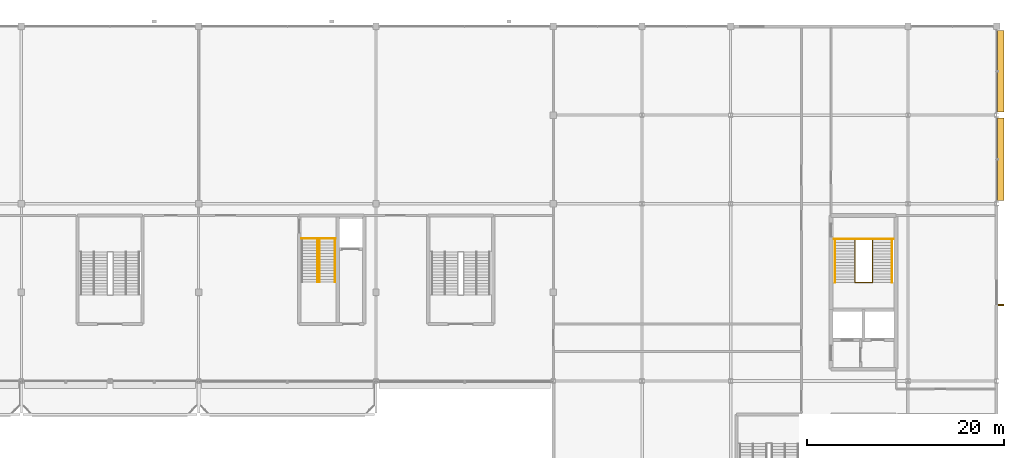
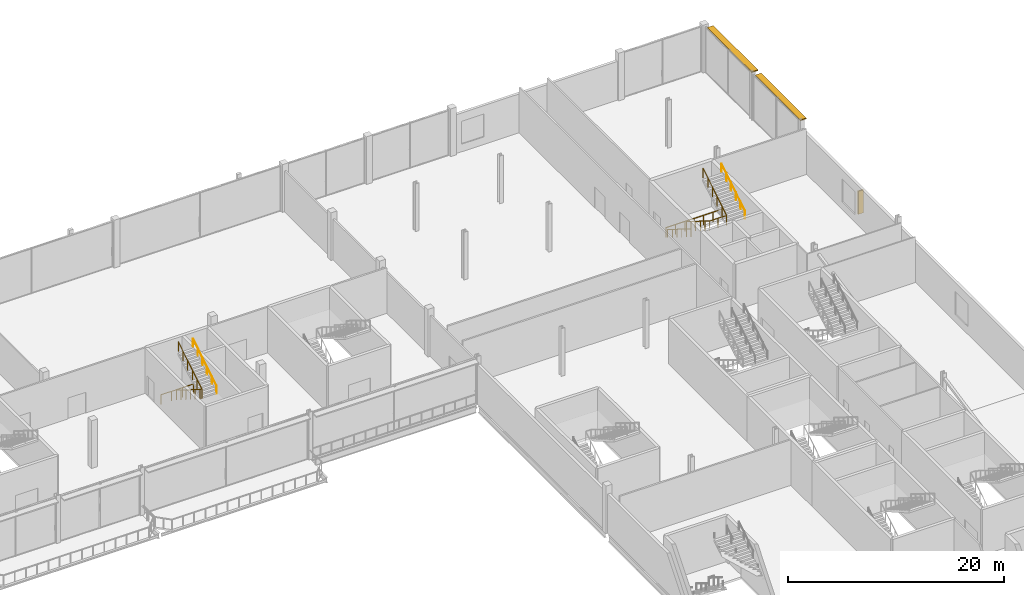
# One storey, part 112 of 113: 7 railings, 3 shading devices.
"""IFC4 building model written with IfcOpenShell, lengths in metres."""

from ifc_helpers import new_model, si_unit, direction, frame, origin, origin_2d, place, context, subcontext, project, spatial, rectangle, circle, extrude, material, type_object, element, save


model = new_model("IFC4")

# Units and contexts
model_context = context("Model", 3, precision=1e-05, world=origin(), true_north=direction((0.0, 1.0)))
body_context = subcontext(model_context, "Body", "Model", "MODEL_VIEW")
ifc_project = project(units=[si_unit("LENGTHUNIT", "METRE"), si_unit("AREAUNIT", "SQUARE_METRE"), si_unit("VOLUMEUNIT", "CUBIC_METRE"), si_unit("PLANEANGLEUNIT", "RADIAN"), si_unit("MASSUNIT", "GRAM", prefix="KILO")], contexts=[model_context])

# Site, building, storey
site_placement = place(None, origin())
site = spatial("IfcSite", under=ifc_project, at=site_placement, CompositionType="ELEMENT")
building_placement = place(site_placement, origin())
building = spatial("IfcBuilding", under=site, at=building_placement, Name="Kisiwana Market Hall", CompositionType="ELEMENT")
storey_placement = place(building_placement, frame((0.0, 0.0, 6.0)))
storey = spatial("IfcBuildingStorey", under=building, at=storey_placement, Name="L01", CompositionType="ELEMENT", Elevation=6.0)

# Railings
ifc_material_1 = material(Name="Steel S275", Category="steel")
railing_type_1 = type_object("IfcRailingType", Name="RL-GUARD-1100", PredefinedType="GUARDRAIL", material=ifc_material_1)
railing_1_placement = place(storey_placement, frame((183.60009765625, 98.3505859375, 0.0)))
element("IfcRailing", 1, at=railing_1_placement, inside=storey, type_object=railing_type_1, Name="Stair ST-E1-L01 inner-well guardrail (RL-323)", PredefinedType="GUARDRAIL", context=body_context, shape_type="SweptSolid", body=[
    extrude(circle(Radius=0.02392578125, at=origin_2d()), frame((0.0, 0.0, 1.076171875), z_axis=(0.0, -0.849649743971, 0.527347430608), x_axis=(1.0, 0.0, 0.0)), (0.0, 0.0, 1.0), 5.119873046875),
    extrude(circle(Radius=0.02392578125, at=origin_2d()), frame((0.0, -4.35009765625, 3.77587890625), z_axis=(1.0, 0.0, 0.0), x_axis=(0.0, 1.0, 0.0)), (0.0, 0.0, 1.0), 1.7998046875),
    extrude(circle(Radius=0.02392578125, at=origin_2d()), frame((1.7998046875, -4.35009765625, 3.77587890625), z_axis=(0.0, 0.849649743971, 0.527347430608), x_axis=(-1.0, 0.0, 0.0)), (0.0, 0.0, 1.0), 5.119873046875),
    extrude(circle(Radius=0.02099609375, at=origin_2d()), origin(), (0.0, 0.0, 1.0), 1.052001953125),
    extrude(circle(Radius=0.02099609375, at=origin_2d()), frame((0.0, -0.8701171875, 0.5400390625)), (0.0, 0.0, 1.0), 1.052001953125),
    extrude(circle(Radius=0.02099609375, at=origin_2d()), frame((0.0, -1.739990234375, 1.080078125)), (0.0, 0.0, 1.0), 1.052001953125),
    extrude(circle(Radius=0.02099609375, at=origin_2d()), frame((0.0, -2.610107421875, 1.619873046875)), (0.0, 0.0, 1.0), 1.052001953125),
    extrude(circle(Radius=0.02099609375, at=origin_2d()), frame((0.0, -3.47998046875, 2.159912109375)), (0.0, 0.0, 1.0), 1.052001953125),
    extrude(circle(Radius=0.02099609375, at=origin_2d()), frame((0.0, -4.35009765625, 2.699951171875)), (0.0, 0.0, 1.0), 1.052001953125),
    extrude(circle(Radius=0.02099609375, at=origin_2d()), frame((0.89990234375, -4.35009765625, 2.699951171875)), (0.0, 0.0, 1.0), 1.052001953125),
    extrude(circle(Radius=0.02099609375, at=origin_2d()), frame((1.7998046875, -4.35009765625, 2.699951171875)), (0.0, 0.0, 1.0), 1.052001953125),
    extrude(circle(Radius=0.02099609375, at=origin_2d()), frame((1.7998046875, -3.47998046875, 3.239990234375)), (0.0, 0.0, 1.0), 1.052001953125),
    extrude(circle(Radius=0.02099609375, at=origin_2d()), frame((1.7998046875, -2.610107421875, 3.780029296875)), (0.0, 0.0, 1.0), 1.052001953125),
    extrude(circle(Radius=0.02099609375, at=origin_2d()), frame((1.7998046875, -1.739990234375, 4.31982421875)), (0.0, 0.0, 1.0), 1.052001953125),
    extrude(circle(Radius=0.02099609375, at=origin_2d()), frame((1.7998046875, -0.8701171875, 4.85986328125)), (0.0, 0.0, 1.0), 1.052001953125),
    extrude(circle(Radius=0.02099609375, at=origin_2d()), frame((1.7998046875, 0.0, 5.39990234375)), (0.0, 0.0, 1.0), 1.052001953125),
])
railing_2_placement = place(storey_placement, frame((181.47998046875, 98.430419921875, 0.0)))
element("IfcRailing", 2, at=railing_2_placement, inside=storey, type_object=railing_type_1, Name="Stair ST-E1-L01 landing edge guardrail (RL-326)", PredefinedType="GUARDRAIL", context=body_context, shape_type="SweptSolid", body=[
    extrude(circle(Radius=0.02392578125, at=origin_2d()), frame((0.0, 0.0, 1.076171875), z_axis=(1.0, 0.0, 0.0), x_axis=(0.0, 1.0, 0.0)), (0.0, 0.0, 1.0), 6.0400390625),
    extrude(circle(Radius=0.02099609375, at=origin_2d()), origin(), (0.0, 0.0, 1.0), 1.052001953125),
    extrude(circle(Radius=0.02099609375, at=origin_2d()), frame((1.006591796875, 0.0, 0.0)), (0.0, 0.0, 1.0), 1.052001953125),
    extrude(circle(Radius=0.02099609375, at=origin_2d()), frame((2.013427734375, 0.0, 0.0)), (0.0, 0.0, 1.0), 1.052001953125),
    extrude(circle(Radius=0.02099609375, at=origin_2d()), frame((3.02001953125, 0.0, 0.0)), (0.0, 0.0, 1.0), 1.052001953125),
    extrude(circle(Radius=0.02099609375, at=origin_2d()), frame((4.026611328125, 0.0, 0.0)), (0.0, 0.0, 1.0), 1.052001953125),
    extrude(circle(Radius=0.02099609375, at=origin_2d()), frame((5.033447265625, 0.0, 0.0)), (0.0, 0.0, 1.0), 1.052001953125),
    extrude(circle(Radius=0.02099609375, at=origin_2d()), frame((6.0400390625, 0.0, 0.0)), (0.0, 0.0, 1.0), 1.052001953125),
])
railing_3_placement = place(storey_placement, frame((129.06005859375, 98.390380859375, 0.0)))
element("IfcRailing", 3, at=railing_3_placement, inside=storey, type_object=railing_type_1, Name="Stair ST-N2-L01 inner-well guardrail (RL-339)", PredefinedType="GUARDRAIL", context=body_context, shape_type="SweptSolid", body=[
    extrude(circle(Radius=0.02392578125, at=origin_2d()), frame((0.0, 0.0, 1.076171875), z_axis=(0.0, -0.849636482215, 0.527368797038), x_axis=(1.0, 0.0, 0.0)), (0.0, 0.0, 1.0), 5.11962890625),
    extrude(circle(Radius=0.02392578125, at=origin_2d()), frame((0.0, -4.349853515625, 3.77587890625), z_axis=(1.0, 0.0, 0.0), x_axis=(0.0, 1.0, 0.0)), (0.0, 0.0, 1.0), 0.199951171875),
    extrude(circle(Radius=0.02392578125, at=origin_2d()), frame((0.199951171875, -4.349853515625, 3.77587890625), z_axis=(0.0, 0.849636482215, 0.527368797038), x_axis=(-1.0, 0.0, 0.0)), (0.0, 0.0, 1.0), 5.11962890625),
    extrude(circle(Radius=0.02099609375, at=origin_2d()), origin(), (0.0, 0.0, 1.0), 1.052001953125),
    extrude(circle(Radius=0.02099609375, at=origin_2d()), frame((0.0, -0.869873046875, 0.5400390625)), (0.0, 0.0, 1.0), 1.052001953125),
    extrude(circle(Radius=0.02099609375, at=origin_2d()), frame((0.0, -1.739990234375, 1.080078125)), (0.0, 0.0, 1.0), 1.052001953125),
    extrude(circle(Radius=0.02099609375, at=origin_2d()), frame((0.0, -2.60986328125, 1.619873046875)), (0.0, 0.0, 1.0), 1.052001953125),
    extrude(circle(Radius=0.02099609375, at=origin_2d()), frame((0.0, -3.47998046875, 2.159912109375)), (0.0, 0.0, 1.0), 1.052001953125),
    extrude(circle(Radius=0.02099609375, at=origin_2d()), frame((0.0, -4.349853515625, 2.699951171875)), (0.0, 0.0, 1.0), 1.052001953125),
    extrude(circle(Radius=0.02099609375, at=origin_2d()), frame((0.199951171875, -4.349853515625, 2.699951171875)), (0.0, 0.0, 1.0), 1.052001953125),
    extrude(circle(Radius=0.02099609375, at=origin_2d()), frame((0.199951171875, -3.47998046875, 3.239990234375)), (0.0, 0.0, 1.0), 1.052001953125),
    extrude(circle(Radius=0.02099609375, at=origin_2d()), frame((0.199951171875, -2.60986328125, 3.780029296875)), (0.0, 0.0, 1.0), 1.052001953125),
    extrude(circle(Radius=0.02099609375, at=origin_2d()), frame((0.199951171875, -1.739990234375, 4.31982421875)), (0.0, 0.0, 1.0), 1.052001953125),
    extrude(circle(Radius=0.02099609375, at=origin_2d()), frame((0.199951171875, -0.869873046875, 4.85986328125)), (0.0, 0.0, 1.0), 1.052001953125),
    extrude(circle(Radius=0.02099609375, at=origin_2d()), frame((0.199951171875, 0.0, 5.39990234375)), (0.0, 0.0, 1.0), 1.052001953125),
])
railing_4_placement = place(storey_placement, frame((127.419921875, 98.450439453125, 0.0)))
element("IfcRailing", 4, at=railing_4_placement, inside=storey, type_object=railing_type_1, Name="Stair ST-N2-L01 landing edge guardrail (RL-342)", PredefinedType="GUARDRAIL", context=body_context, shape_type="SweptSolid", body=[
    extrude(circle(Radius=0.02392578125, at=origin_2d()), frame((0.0, 0.0, 1.076171875), z_axis=(1.0, 0.0, 0.0), x_axis=(0.0, 1.0, 0.0)), (0.0, 0.0, 1.0), 3.47998046875),
    extrude(circle(Radius=0.02099609375, at=origin_2d()), origin(), (0.0, 0.0, 1.0), 1.052001953125),
    extrude(circle(Radius=0.02099609375, at=origin_2d()), frame((1.159912109375, 0.0, 0.0)), (0.0, 0.0, 1.0), 1.052001953125),
    extrude(circle(Radius=0.02099609375, at=origin_2d()), frame((2.320068359375, 0.0, 0.0)), (0.0, 0.0, 1.0), 1.052001953125),
    extrude(circle(Radius=0.02099609375, at=origin_2d()), frame((3.47998046875, 0.0, 0.0)), (0.0, 0.0, 1.0), 1.052001953125),
])
ifc_material_2 = material(Name="Steel S275", Category="steel")
railing_type_2 = type_object("IfcRailingType", Name="RL-HAND-900", PredefinedType="HANDRAIL", material=ifc_material_2)
railing_5_placement = place(storey_placement, frame((181.610107421875, 98.3505859375, 0.0)))
element("IfcRailing", 5, at=railing_5_placement, inside=storey, type_object=railing_type_2, Name="Stair ST-E1-L01 flight 1 handrail (RL-324)", PredefinedType="HANDRAIL", context=body_context, shape_type="SweptSolid", body=[
    extrude(circle(Radius=0.02392578125, at=origin_2d()), frame((0.0, 0.0, 0.8759765625), z_axis=(0.0, -0.849649743971, 0.527347430608), x_axis=(1.0, 0.0, 0.0)), (0.0, 0.0, 1.0), 5.119873046875),
    extrude(circle(Radius=0.02099609375, at=origin_2d()), origin(), (0.0, 0.0, 1.0), 0.851806640625),
    extrude(circle(Radius=0.02099609375, at=origin_2d()), frame((0.0, -0.8701171875, 0.5400390625)), (0.0, 0.0, 1.0), 0.851806640625),
    extrude(circle(Radius=0.02099609375, at=origin_2d()), frame((0.0, -1.739990234375, 1.080078125)), (0.0, 0.0, 1.0), 0.851806640625),
    extrude(circle(Radius=0.02099609375, at=origin_2d()), frame((0.0, -2.610107421875, 1.619873046875)), (0.0, 0.0, 1.0), 0.851806640625),
    extrude(circle(Radius=0.02099609375, at=origin_2d()), frame((0.0, -3.47998046875, 2.159912109375)), (0.0, 0.0, 1.0), 0.851806640625),
    extrude(circle(Radius=0.02099609375, at=origin_2d()), frame((0.0, -4.35009765625, 2.699951171875)), (0.0, 0.0, 1.0), 0.851806640625),
])
railing_6_placement = place(storey_placement, frame((187.389892578125, 94.00048828125, 2.699951171875)))
element("IfcRailing", 6, at=railing_6_placement, inside=storey, type_object=railing_type_2, Name="Stair ST-E1-L01 flight 2 handrail (RL-325)", PredefinedType="HANDRAIL", context=body_context, shape_type="SweptSolid", body=[
    extrude(circle(Radius=0.02392578125, at=origin_2d()), frame((0.0, 0.0, 0.8759765625), z_axis=(0.0, 0.849649743971, 0.527347430608), x_axis=(-1.0, 0.0, 0.0)), (0.0, 0.0, 1.0), 5.119873046875),
    extrude(circle(Radius=0.02099609375, at=origin_2d()), origin(), (0.0, 0.0, 1.0), 0.851806640625),
    extrude(circle(Radius=0.02099609375, at=origin_2d()), frame((0.0, 0.8701171875, 0.5400390625)), (0.0, 0.0, 1.0), 0.851806640625),
    extrude(circle(Radius=0.02099609375, at=origin_2d()), frame((0.0, 1.739990234375, 1.080078125)), (0.0, 0.0, 1.0), 0.851806640625),
    extrude(circle(Radius=0.02099609375, at=origin_2d()), frame((0.0, 2.610107421875, 1.619873046875)), (0.0, 0.0, 1.0), 0.851806640625),
    extrude(circle(Radius=0.02099609375, at=origin_2d()), frame((0.0, 3.47998046875, 2.159912109375)), (0.0, 0.0, 1.0), 0.851806640625),
    extrude(circle(Radius=0.02099609375, at=origin_2d()), frame((0.0, 4.35009765625, 2.699951171875)), (0.0, 0.0, 1.0), 0.851806640625),
])
railing_7_placement = place(storey_placement, frame((130.840087890625, 94.04052734375, 2.699951171875)))
element("IfcRailing", 7, at=railing_7_placement, inside=storey, type_object=railing_type_2, Name="Stair ST-N2-L01 flight 2 handrail (RL-341)", PredefinedType="HANDRAIL", context=body_context, shape_type="SweptSolid", body=[
    extrude(circle(Radius=0.02392578125, at=origin_2d()), frame((0.0, 0.0, 0.8759765625), z_axis=(0.0, 0.849636482215, 0.527368797038), x_axis=(-1.0, 0.0, 0.0)), (0.0, 0.0, 1.0), 5.11962890625),
    extrude(circle(Radius=0.02099609375, at=origin_2d()), origin(), (0.0, 0.0, 1.0), 0.851806640625),
    extrude(circle(Radius=0.02099609375, at=origin_2d()), frame((0.0, 0.869873046875, 0.5400390625)), (0.0, 0.0, 1.0), 0.851806640625),
    extrude(circle(Radius=0.02099609375, at=origin_2d()), frame((0.0, 1.739990234375, 1.080078125)), (0.0, 0.0, 1.0), 0.851806640625),
    extrude(circle(Radius=0.02099609375, at=origin_2d()), frame((0.0, 2.60986328125, 1.619873046875)), (0.0, 0.0, 1.0), 0.851806640625),
    extrude(circle(Radius=0.02099609375, at=origin_2d()), frame((0.0, 3.47998046875, 2.159912109375)), (0.0, 0.0, 1.0), 0.851806640625),
    extrude(circle(Radius=0.02099609375, at=origin_2d()), frame((0.0, 4.349853515625, 2.699951171875)), (0.0, 0.0, 1.0), 0.851806640625),
])

# Shading devices
ifc_material_3 = material(Name="Aluminium alloy 6063-T6", Category="aluminium")
shading_device_type_1 = type_object("IfcShadingDeviceType", Name="SHD-JALOUSIE-H", PredefinedType="JALOUSIE", material=ifc_material_3)
shading_device_1_placement = place(storey_placement, frame((198.419921875, 106.507080078125, 4.969970703125), z_axis=(0.0, 0.0, 1.0), x_axis=(0.0, 1.0, 0.0)))
element("IfcShadingDevice", 8, at=shading_device_1_placement, inside=storey, type_object=shading_device_type_1, Name="Aluminium brise-soleil louvre SHD-037 SD-037", PredefinedType="JALOUSIE", context=body_context, shape_type="SweptSolid", body=[
    extrude(rectangle(XDim=8.37939453125, YDim=0.64990234375, at=origin_2d()), origin(), (0.0, 0.0, 1.0), 0.1201171875),
])
shading_device_2_placement = place(storey_placement, frame((198.419921875, 115.439208984375, 4.969970703125), z_axis=(0.0, 0.0, 1.0), x_axis=(0.0, 1.0, 0.0)))
element("IfcShadingDevice", 9, at=shading_device_2_placement, inside=storey, type_object=shading_device_type_1, Name="Aluminium brise-soleil louvre SHD-038 SD-038", PredefinedType="JALOUSIE", context=body_context, shape_type="SweptSolid", body=[
    extrude(rectangle(XDim=8.271728515625, YDim=0.64990234375, at=origin_2d()), origin(), (0.0, 0.0, 1.0), 0.1201171875),
])
ifc_material_4 = material(Name="Aluminium alloy 6063-T6", Category="aluminium")
shading_device_type_2 = type_object("IfcShadingDeviceType", Name="SHD-SHUTTER-V", PredefinedType="SHUTTER", material=ifc_material_4)
shading_device_3_placement = place(storey_placement, frame((198.419921875, 91.719970703125, 0.849853515625), z_axis=(0.0, 0.0, 1.0), x_axis=(0.0, 1.0, 0.0)))
element("IfcShadingDevice", 10, at=shading_device_3_placement, inside=storey, type_object=shading_device_type_2, Name="Vertical solar fin SHD-036 SD-036", PredefinedType="SHUTTER", context=body_context, shape_type="SweptSolid", body=[
    extrude(rectangle(XDim=0.1201171875, YDim=0.550048828125, at=origin_2d()), origin(), (0.0, 0.0, 1.0), 2.60009765625),
])

save(model, "model.ifc")
